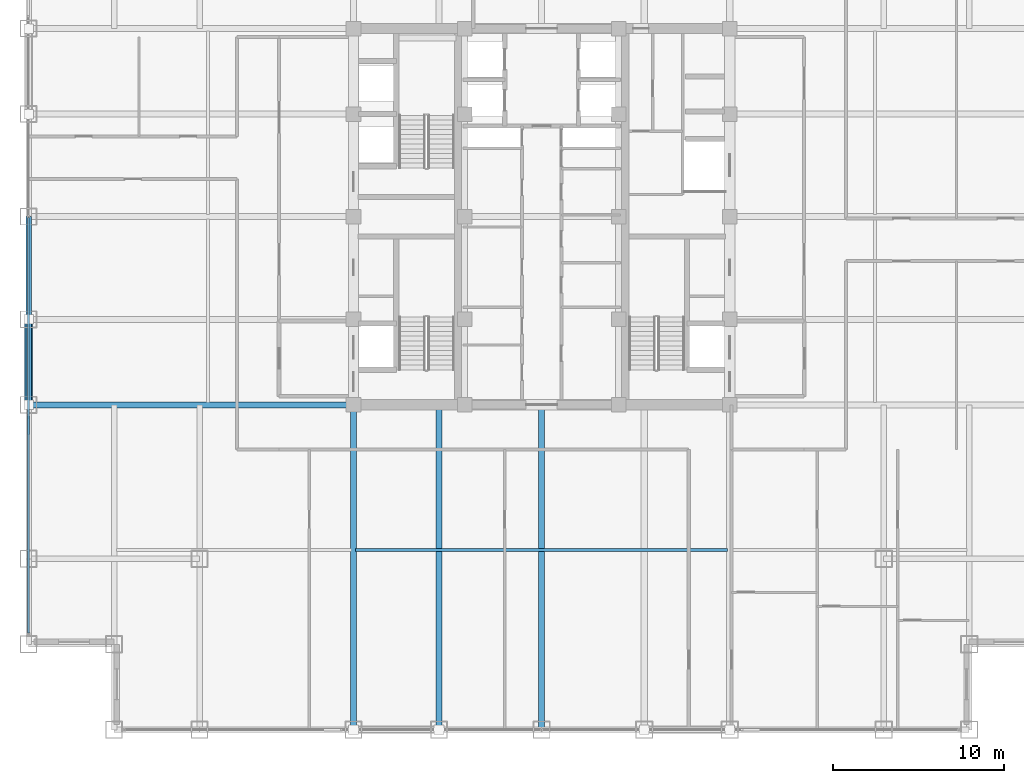
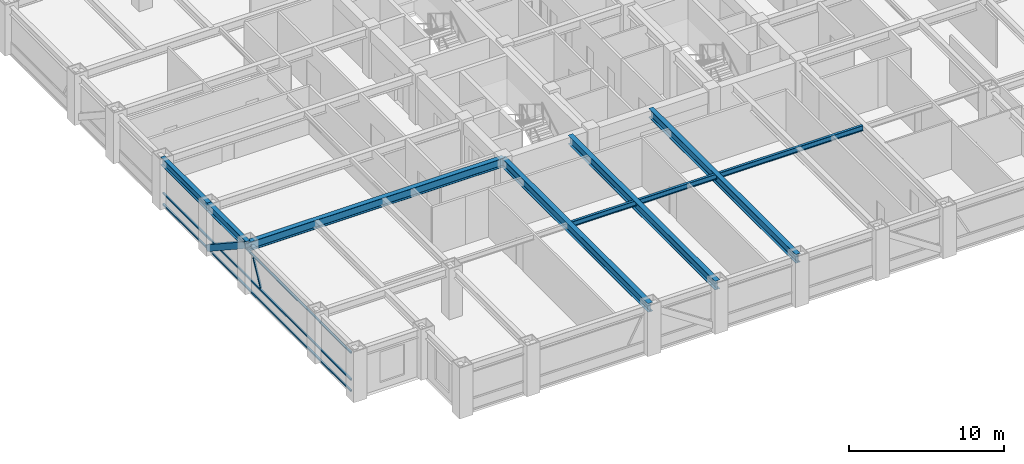
# One storey, part 5 of 25: 7 beams, 5 members, 1 element without a shape of its own.
"""IFC4 building model written with IfcOpenShell, lengths in metres."""

from ifc_helpers import new_model, si_unit, direction, frame, origin, origin_2d, place, context, subcontext, project, spatial, hollow_rectangle, i_section, extrude, source, transform, mapped, material, material_profile, profile_set, type_object, element, aggregate, save


model = new_model("IFC4")

# Units and contexts
model_context = context("Model", 3, precision=1e-05, world=origin(), true_north=direction((0.0, 1.0)))
body_context = subcontext(model_context, "Body", "Model", "MODEL_VIEW")
ifc_project = project(units=[si_unit("LENGTHUNIT", "METRE"), si_unit("AREAUNIT", "SQUARE_METRE"), si_unit("VOLUMEUNIT", "CUBIC_METRE"), si_unit("PLANEANGLEUNIT", "RADIAN"), si_unit("MASSUNIT", "GRAM", prefix="KILO")], contexts=[model_context])

# Site, building, storey
site_placement = place(None, origin())
site = spatial("IfcSite", under=ifc_project, at=site_placement, CompositionType="ELEMENT")
building_placement = place(site_placement, origin())
building = spatial("IfcBuilding", under=site, at=building_placement, Name="Khorayat Bourse Tower", CompositionType="ELEMENT")
storey_placement = place(building_placement, frame((0.0, 0.0, 255.10009765625)))
storey = spatial("IfcBuildingStorey", under=building, at=storey_placement, Name="L60", CompositionType="ELEMENT", Elevation=255.10009765625)

# Beams
ifc_material_1 = material(Name="Steel ASTM A992 Grade 50", Category="steel")
ifc_material_profile_1 = material_profile(ifc_material_1, i_section(OverallWidth=0.180908203125, OverallDepth=0.4169921875, WebThickness=0.010986328125, FlangeThickness=0.018310546875, FilletRadius=0.011962890625, at=origin_2d()), Name="W410X85")
ifc_profile_set_1 = profile_set([ifc_material_profile_1], Name="Steel ASTM A992 Grade 50")
beam_type_1 = type_object("IfcBeamType", Name="BM-JOIST-410", PredefinedType="JOIST", material=ifc_profile_set_1)
shared_shape_1 = source(origin(), body_context, "Body", "SweptSolid", [
    extrude(i_section(OverallWidth=0.180908203125, OverallDepth=0.4169921875, WebThickness=0.010986328125, FlangeThickness=0.018310546875, FilletRadius=0.011962890625, at=origin_2d()), origin(), (0.0, 0.0, 1.0), 21.740234375),
])
beam_1_placement = place(storey_placement, frame((-10.8701171875, -19.5, 3.5712890625), z_axis=(1.0, 0.0, 0.0), x_axis=(0.0, 1.0, 0.0)))
element("IfcBeam", 1, at=beam_1_placement, inside=storey, type_object=beam_type_1, Name="L60 BM-JOIST-410 BM-L60-JSTX-097", PredefinedType="JOIST", context=body_context, shape_type="MappedRepresentation", body=[
    mapped(shared_shape_1, transform((0.0, 0.0, 0.0), scale=1.0)),
])
ifc_material_profile_2 = material_profile(ifc_material_1, i_section(OverallWidth=0.324951171875, OverallDepth=0.615966796875, WebThickness=0.013916015625, FlangeThickness=0.021484375, FilletRadius=0.01611328125, at=origin_2d()), Name="W610X174")
ifc_profile_set_2 = profile_set([ifc_material_profile_2], Name="Steel ASTM A992 Grade 50")
beam_type_2 = type_object("IfcBeamType", Name="BM-SPAN-610", PredefinedType="SPANDREL", material=ifc_profile_set_2)
shared_shape_2 = source(origin(), body_context, "Body", "SweptSolid", [
    extrude(i_section(OverallWidth=0.324951171875, OverallDepth=0.615966796875, WebThickness=0.013916015625, FlangeThickness=0.021484375, FilletRadius=0.01611328125, at=origin_2d()), origin(), (0.0, 0.0, 1.0), 5.0),
])
beam_2_placement = place(storey_placement, frame((-30.0, -11.0, 3.471923828125), z_axis=(0.0, 1.0, 0.0), x_axis=(-1.0, 0.0, 0.0)))
element("IfcBeam", 2, at=beam_2_placement, inside=storey, type_object=beam_type_2, Name="L60 BM-SPAN-610 BM-L60-SPN-059", PredefinedType="SPANDREL", context=body_context, shape_type="MappedRepresentation", body=[
    mapped(shared_shape_2, transform((0.0, 0.0, 0.0), scale=1.0)),
])
shared_shape_3 = source(origin(), body_context, "Body", "SweptSolid", [
    extrude(i_section(OverallWidth=0.324951171875, OverallDepth=0.615966796875, WebThickness=0.013916015625, FlangeThickness=0.021484375, FilletRadius=0.01611328125, at=origin_2d()), origin(), (0.0, 0.0, 1.0), 6.0),
])
beam_3_placement = place(storey_placement, frame((-30.0, -6.0, 3.471923828125), z_axis=(0.0, 1.0, 0.0), x_axis=(-1.0, 0.0, 0.0)))
element("IfcBeam", 3, at=beam_3_placement, inside=storey, type_object=beam_type_2, Name="L60 BM-SPAN-610 BM-L60-SPN-058", PredefinedType="SPANDREL", context=body_context, shape_type="MappedRepresentation", body=[
    mapped(shared_shape_3, transform((0.0, 0.0, 0.0), scale=1.0)),
])
ifc_material_profile_3 = material_profile(ifc_material_1, i_section(OverallWidth=0.35498046875, OverallDepth=0.695068359375, WebThickness=0.015380859375, FlangeThickness=0.02490234375, FilletRadius=0.01806640625, at=origin_2d()), Name="W690X217")
ifc_profile_set_3 = profile_set([ifc_material_profile_3], Name="Steel ASTM A992 Grade 50")
beam_type_3 = type_object("IfcBeamType", Name="BM-GIRD-690", PredefinedType="BEAM", material=ifc_profile_set_3)
shared_shape_4 = source(origin(), body_context, "Body", "SweptSolid", [
    extrude(i_section(OverallWidth=0.35498046875, OverallDepth=0.695068359375, WebThickness=0.015380859375, FlangeThickness=0.02490234375, FilletRadius=0.01806640625, at=origin_2d()), origin(), (0.0, 0.0, 1.0), 19.0),
])
for number, where, z_axis, x_axis, name in (
    (4, (-11.0, -30.0, 3.432373046875), (0.0, 1.0, 0.0), (-1.0, 0.0, 0.0), "L60 BM-GIRD-690 BM-L60-RADY-065"),
    (5, (-6.0, -30.0, 3.432373046875), (0.0, 1.0, 0.0), (-1.0, 0.0, 0.0), "L60 BM-GIRD-690 BM-L60-RADY-067"),
    (6, (0.0, -30.0, 3.432373046875), (0.0, 1.0, 0.0), (-1.0, 0.0, 0.0), "L60 BM-GIRD-690 BM-L60-RADY-069"),
    (7, (-30.0, -11.0, 3.432373046875), (1.0, 0.0, 0.0), (0.0, 1.0, 0.0), "L60 BM-GIRD-690 BM-L60-RADX-075"),
):
    element("IfcBeam", number, at=place(storey_placement, frame(where, z_axis=z_axis, x_axis=x_axis)), inside=storey, type_object=beam_type_3, Name=name, PredefinedType="BEAM", context=body_context, shape_type="MappedRepresentation", body=[
        mapped(shared_shape_4, transform((0.0, 0.0, 0.0), scale=1.0)),
    ])

# Member
ifc_material_2 = material(Name="Steel EN 10025-4 S460M", Category="steel")
ifc_material_profile_4 = material_profile(ifc_material_2, hollow_rectangle(XDim=0.449951171875, YDim=0.449951171875, WallThickness=0.02490234375, at=origin_2d()), Name="HSS 450x450x25")
ifc_profile_set_4 = profile_set([ifc_material_profile_4], Name="Steel EN 10025-4 S460M")
member_type_1 = type_object("IfcMemberType", Name="MBR-TUBE-450", PredefinedType="BRACE", material=ifc_profile_set_4)
shared_shape_5 = source(origin(), body_context, "Body", "SweptSolid", [
    extrude(hollow_rectangle(XDim=0.449951171875, YDim=0.449951171875, WallThickness=0.02490234375, at=origin_2d()), origin(), (0.0, 0.0, 1.0), 5.979736328125),
])
member_1_placement = place(storey_placement, frame((-30.0, -11.0, 3.52978515625), z_axis=(0.0, 0.836160261256, -0.548485202623), x_axis=(-1.0, 0.0, 0.0)))
element("IfcMember", 8, at=member_1_placement, inside=storey, type_object=member_type_1, Name="L60 Perimeter Tube Brace 05", PredefinedType="BRACE", context=body_context, shape_type="MappedRepresentation", body=[
    mapped(shared_shape_5, transform((0.0, 0.0, 0.0), scale=1.0)),
])

# Curtain wall, members
ifc_material_3 = material(Name="Aluminium EN AW-6063 T6", Category="aluminium")
curtain_wall_type = type_object("IfcCurtainWallType", Name="CW-SYS-03", PredefinedType="NOTDEFINED", material=ifc_material_3)
curtain_wall_placement = place(storey_placement, origin())
curtain_wall = element("IfcCurtainWall", 9, at=curtain_wall_placement, inside=storey, type_object=curtain_wall_type, Name="L60 Curtain Wall CW-L60-W1", PredefinedType="NOTDEFINED")
ifc_material_profile_5 = material_profile(ifc_material_3, hollow_rectangle(XDim=0.1201171875, YDim=0.1201171875, WallThickness=0.0048828125, at=origin_2d()), Name="ALU 120x120x5")
ifc_profile_set_5 = profile_set([ifc_material_profile_5], Name="Aluminium EN AW-6063 T6")
member_type_2 = type_object("IfcMemberType", Name="CWM-DIAG-120", PredefinedType="MULLION", material=ifc_profile_set_5)
shared_shape_6 = source(origin(), body_context, "Body", "SweptSolid", [
    extrude(hollow_rectangle(XDim=0.1201171875, YDim=0.1201171875, WallThickness=0.0048828125, at=origin_2d()), origin(), (0.0, 0.0, 1.0), 2.079345703125),
])
member_2_placement = place(storey_placement, frame((-30.0, -12.67919921875, 1.08984375), z_axis=(0.0, 0.465760949701, 0.884910581773), x_axis=(-1.0, 0.0, 0.0)))
member_2 = element("IfcMember", 10, at=member_2_placement, type_object=member_type_2, Name="CW-L60-W1 Faceted Diagonal Mullion 1", PredefinedType="MULLION", context=body_context, shape_type="MappedRepresentation", body=[
    mapped(shared_shape_6, transform((0.0, 0.0, 0.0), scale=1.0)),
])
ifc_material_profile_6 = material_profile(ifc_material_3, hollow_rectangle(XDim=0.1201171875, YDim=0.1201171875, WallThickness=0.0048828125, at=origin_2d()), Name="ALU 120x120x5")
ifc_profile_set_6 = profile_set([ifc_material_profile_6], Name="Aluminium EN AW-6063 T6")
member_type_3 = type_object("IfcMemberType", Name="CWT-HORZ-120", PredefinedType="USERDEFINED", material=ifc_profile_set_6)
shared_shape_7 = source(origin(), body_context, "Body", "SweptSolid", [
    extrude(hollow_rectangle(XDim=0.1201171875, YDim=0.1201171875, WallThickness=0.0048828125, at=origin_2d()), origin(), (0.0, 0.0, 1.0), 24.27001953125),
])
member_3_placement = place(storey_placement, frame((-30.0, -24.330078125, 0.059814453125), z_axis=(0.0, 1.0, 0.0), x_axis=(-1.0, 0.0, 0.0)))
member_3 = element("IfcMember", 11, at=member_3_placement, type_object=member_type_3, Name="CW-L60-W1 Horizontal Transom 1-1", ObjectType="TRANSOM", PredefinedType="USERDEFINED", context=body_context, shape_type="MappedRepresentation", body=[
    mapped(shared_shape_7, transform((0.0, 0.0, 0.0), scale=1.0)),
])
member_4_placement = place(storey_placement, frame((-30.0, -24.330078125, 0.949951171875), z_axis=(0.0, 1.0, 0.0), x_axis=(-1.0, 0.0, 0.0)))
member_4 = element("IfcMember", 12, at=member_4_placement, type_object=member_type_3, Name="CW-L60-W1 Horizontal Transom 1-2", ObjectType="TRANSOM", PredefinedType="USERDEFINED", context=body_context, shape_type="MappedRepresentation", body=[
    mapped(shared_shape_7, transform((0.0, 0.0, 0.0), scale=1.0)),
])
member_5_placement = place(storey_placement, frame((-30.0, -24.330078125, 3.06982421875), z_axis=(0.0, 1.0, 0.0), x_axis=(-1.0, 0.0, 0.0)))
member_5 = element("IfcMember", 13, at=member_5_placement, type_object=member_type_3, Name="CW-L60-W1 Horizontal Transom 1-3", ObjectType="TRANSOM", PredefinedType="USERDEFINED", context=body_context, shape_type="MappedRepresentation", body=[
    mapped(shared_shape_7, transform((0.0, 0.0, 0.0), scale=1.0)),
])
aggregate(curtain_wall, [member_3, member_4, member_5, member_2])

save(model, "model.ifc")
